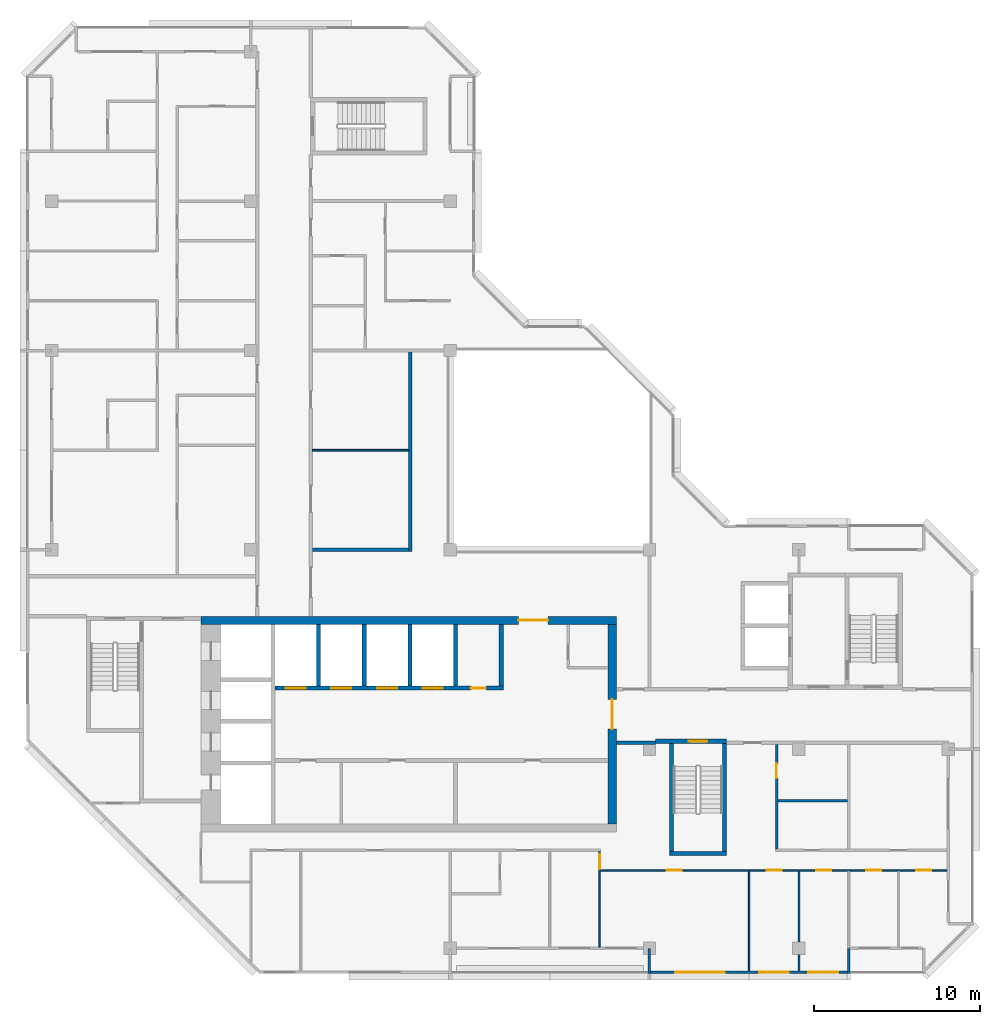
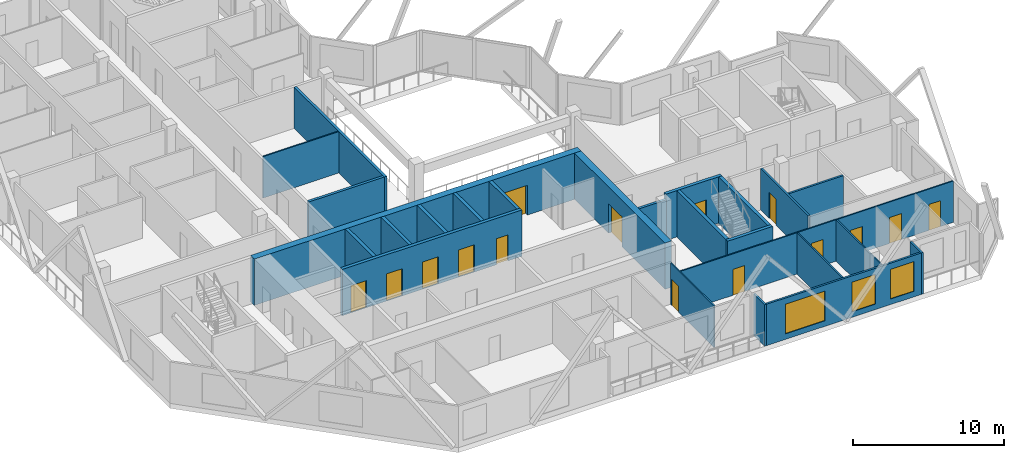
# One storey, part 5 of 12: 25 walls, 15 doors, 3 windows, 18 openings.
"""IFC4 building model written with IfcOpenShell, lengths in metres."""

from ifc_helpers import new_model, si_unit, direction, frame, frame_2d, origin, place, context, subcontext, project, spatial, rectangle, extrude, material, layer, layer_set, type_object, element, fill, save


model = new_model("IFC4")

# Units and contexts
model_context = context("Model", 3, precision=1e-05, world=origin(), true_north=direction((0.0, 1.0)))
body_context = subcontext(model_context, "Body", "Model", "MODEL_VIEW")
ifc_project = project(units=[si_unit("LENGTHUNIT", "METRE"), si_unit("AREAUNIT", "SQUARE_METRE"), si_unit("VOLUMEUNIT", "CUBIC_METRE"), si_unit("PLANEANGLEUNIT", "RADIAN"), si_unit("MASSUNIT", "GRAM", prefix="KILO")], contexts=[model_context])

# Site, building, storey
site_placement = place(None, origin())
site = spatial("IfcSite", under=ifc_project, at=site_placement, CompositionType="ELEMENT")
building_placement = place(site_placement, origin())
building = spatial("IfcBuilding", under=site, at=building_placement, Name="Chenar Terraces", CompositionType="ELEMENT")
storey_placement = place(building_placement, frame((0.0, 0.0, 338.89990234375)))
storey = spatial("IfcBuildingStorey", under=building, at=storey_placement, Name="L78", CompositionType="ELEMENT", Elevation=338.89990234375)

# Wall, openings, doors
ifc_material_1 = material(Name="Concrete C50/60", Category="concrete")
ifc_layer_1 = layer(ifc_material_1, 0.25)
ifc_layer_set_1 = layer_set([ifc_layer_1], Name="Concrete C50/60")
wall_type_1 = type_object("IfcWallType", Name="Core wall 250 Concrete C50/60", PredefinedType="SHEAR", material=ifc_layer_set_1)
wall_1_placement = place(storey_placement, frame((13.449951171875, 15.675048828125, 0.0), z_axis=(0.0, 0.0, 1.0), x_axis=(1.0, 0.0, 0.0)))
wall_1 = element("IfcWall", 1, at=wall_1_placement, inside=storey, type_object=wall_type_1, Name="Core wall NF L78", PredefinedType="SHEAR", context=body_context, shape_type="SweptSolid", body=[
    extrude(rectangle(XDim=13.75, YDim=0.25, at=frame_2d((6.875, 0.0))), origin(), (0.0, 0.0, 1.0), 3.75),
])
opening_1_placement = place(wall_1_placement, frame((0.64990234375, 0.0, 0.0)))
opening_1 = element("IfcOpeningElement", 2, at=opening_1_placement, cuts=wall_1, Name="Opening DL78-LD1", PredefinedType="OPENING", context=body_context, shape_type="SweptSolid", body=[
    extrude(rectangle(XDim=1.199951171875, YDim=2.199951171875, at=frame_2d((0.60009765625, 1.10009765625))), frame((0.0, 0.135009765625, 0.0), z_axis=(0.0, -1.0, 0.0), x_axis=(1.0, 0.0, 0.0)), (0.0, 0.0, 1.0), 0.27001953125),
])
opening_2_placement = place(wall_1_placement, frame((3.39990234375, 0.0, 0.0)))
opening_2 = element("IfcOpeningElement", 3, at=opening_2_placement, cuts=wall_1, Name="Opening DL78-LD2", PredefinedType="OPENING", context=body_context, shape_type="SweptSolid", body=[
    extrude(rectangle(XDim=1.199951171875, YDim=2.199951171875, at=frame_2d((0.60009765625, 1.10009765625))), frame((0.0, 0.135009765625, 0.0), z_axis=(0.0, -1.0, 0.0), x_axis=(1.0, 0.0, 0.0)), (0.0, 0.0, 1.0), 0.27001953125),
])
opening_3_placement = place(wall_1_placement, frame((6.14990234375, 0.0, 0.0)))
opening_3 = element("IfcOpeningElement", 4, at=opening_3_placement, cuts=wall_1, Name="Opening DL78-LD3", PredefinedType="OPENING", context=body_context, shape_type="SweptSolid", body=[
    extrude(rectangle(XDim=1.199951171875, YDim=2.199951171875, at=frame_2d((0.60009765625, 1.10009765625))), frame((0.0, 0.135009765625, 0.0), z_axis=(0.0, -1.0, 0.0), x_axis=(1.0, 0.0, 0.0)), (0.0, 0.0, 1.0), 0.27001953125),
])
opening_4_placement = place(wall_1_placement, frame((8.89990234375, 0.0, 0.0)))
opening_4 = element("IfcOpeningElement", 5, at=opening_4_placement, cuts=wall_1, Name="Opening DL78-LD4", PredefinedType="OPENING", context=body_context, shape_type="SweptSolid", body=[
    extrude(rectangle(XDim=1.199951171875, YDim=2.199951171875, at=frame_2d((0.60009765625, 1.10009765625))), frame((0.0, 0.135009765625, 0.0), z_axis=(0.0, -1.0, 0.0), x_axis=(1.0, 0.0, 0.0)), (0.0, 0.0, 1.0), 0.27001953125),
])
opening_5_placement = place(wall_1_placement, frame((11.800048828125, 0.0, 0.0)))
opening_5 = element("IfcOpeningElement", 6, at=opening_5_placement, cuts=wall_1, Name="Opening DL78-C15", PredefinedType="OPENING", context=body_context, shape_type="SweptSolid", body=[
    extrude(rectangle(XDim=0.89990234375, YDim=2.10009765625, at=frame_2d((0.449951171875, 1.050048828125))), frame((0.0, 0.135009765625, 0.0), z_axis=(0.0, -1.0, 0.0), x_axis=(1.0, 0.0, 0.0)), (0.0, 0.0, 1.0), 0.27001953125),
])
ifc_material_2 = material(Name="Stainless steel", Category="steel")
door_type_1 = type_object("IfcDoorType", Name="Lift landing door 1200 x 2200 sliding", OperationType="DOUBLE_DOOR_SLIDING", PredefinedType="DOOR", material=ifc_material_2)
door_1_placement = place(opening_1_placement, origin())
door_1 = element("IfcDoor", 7, at=door_1_placement, inside=storey, type_object=door_type_1, Name="Landing door H1", OperationType="DOUBLE_DOOR_SLIDING", OverallHeight=2.199951171875, OverallWidth=1.199951171875, PredefinedType="DOOR", context=body_context, shape_type="SweptSolid", body=[
    extrude(rectangle(XDim=1.199951171875, YDim=2.199951171875, at=frame_2d((0.60009765625, 1.10009765625))), frame((0.0, 0.02490234375, 0.0), z_axis=(0.0, -1.0, 0.0), x_axis=(1.0, 0.0, 0.0)), (0.0, 0.0, 1.0), 0.050048828125),
])
fill(opening_1, door_1)
door_2_placement = place(opening_2_placement, origin())
door_2 = element("IfcDoor", 8, at=door_2_placement, inside=storey, type_object=door_type_1, Name="Landing door H2", OperationType="DOUBLE_DOOR_SLIDING", OverallHeight=2.199951171875, OverallWidth=1.199951171875, PredefinedType="DOOR", context=body_context, shape_type="SweptSolid", body=[
    extrude(rectangle(XDim=1.199951171875, YDim=2.199951171875, at=frame_2d((0.60009765625, 1.10009765625))), frame((0.0, 0.02490234375, 0.0), z_axis=(0.0, -1.0, 0.0), x_axis=(1.0, 0.0, 0.0)), (0.0, 0.0, 1.0), 0.050048828125),
])
fill(opening_2, door_2)
door_3_placement = place(opening_3_placement, origin())
door_3 = element("IfcDoor", 9, at=door_3_placement, inside=storey, type_object=door_type_1, Name="Landing door H3", OperationType="DOUBLE_DOOR_SLIDING", OverallHeight=2.199951171875, OverallWidth=1.199951171875, PredefinedType="DOOR", context=body_context, shape_type="SweptSolid", body=[
    extrude(rectangle(XDim=1.199951171875, YDim=2.199951171875, at=frame_2d((0.60009765625, 1.10009765625))), frame((0.0, 0.02490234375, 0.0), z_axis=(0.0, -1.0, 0.0), x_axis=(1.0, 0.0, 0.0)), (0.0, 0.0, 1.0), 0.050048828125),
])
fill(opening_3, door_3)
door_4_placement = place(opening_4_placement, origin())
door_4 = element("IfcDoor", 10, at=door_4_placement, inside=storey, type_object=door_type_1, Name="Landing door H4", OperationType="DOUBLE_DOOR_SLIDING", OverallHeight=2.199951171875, OverallWidth=1.199951171875, PredefinedType="DOOR", context=body_context, shape_type="SweptSolid", body=[
    extrude(rectangle(XDim=1.199951171875, YDim=2.199951171875, at=frame_2d((0.60009765625, 1.10009765625))), frame((0.0, 0.02490234375, 0.0), z_axis=(0.0, -1.0, 0.0), x_axis=(1.0, 0.0, 0.0)), (0.0, 0.0, 1.0), 0.050048828125),
])
fill(opening_4, door_4)
ifc_material_3 = material(Name="Steel-framed fire-resisting door leaf", Category="steel")
door_type_2 = type_object("IfcDoorType", Name="Riser fire door FD60 900 x 2100", OperationType="SINGLE_SWING_LEFT", PredefinedType="DOOR", material=ifc_material_3)
door_5_placement = place(opening_5_placement, origin())
door_5 = element("IfcDoor", 11, at=door_5_placement, inside=storey, type_object=door_type_2, Name="Core room door DL78-C15", OperationType="SINGLE_SWING_RIGHT", OverallHeight=2.10009765625, OverallWidth=0.89990234375, PredefinedType="DOOR", context=body_context, shape_type="SweptSolid", body=[
    extrude(rectangle(XDim=0.89990234375, YDim=2.10009765625, at=frame_2d((0.449951171875, 1.050048828125))), frame((0.0, 0.02490234375, 0.0), z_axis=(0.0, -1.0, 0.0), x_axis=(1.0, 0.0, 0.0)), (0.0, 0.0, 1.0), 0.050048828125),
])
fill(opening_5, door_5)

# Walls
for number, where, z_axis, x_axis, name in (
    (12, (16.074951171875, 15.800048828125, 0.0), (0.0, 0.0, 1.0), (0.0, 1.0, 0.0), "Core wall NS0 L78"),
    (13, (18.824951171875, 15.800048828125, 0.0), (0.0, 0.0, 1.0), (0.0, 1.0, 0.0), "Core wall NS1 L78"),
    (14, (21.574951171875, 15.800048828125, 0.0), (0.0, 0.0, 1.0), (0.0, 1.0, 0.0), "Core wall NS2 L78"),
    (15, (24.324951171875, 15.800048828125, 0.0), (0.0, 0.0, 1.0), (0.0, 1.0, 0.0), "Core wall NS3 L78"),
    (16, (27.074951171875, 15.800048828125, 0.0), (0.0, 0.0, 1.0), (0.0, 1.0, 0.0), "Core wall NE L78"),
):
    element("IfcWall", number, at=place(storey_placement, frame(where, z_axis=z_axis, x_axis=x_axis)), inside=storey, type_object=wall_type_1, Name=name, PredefinedType="SHEAR", context=body_context, shape_type="SweptSolid", body=[
        extrude(rectangle(XDim=3.699951171875, YDim=0.25, at=frame_2d((1.85009765625, 0.0))), origin(), (0.0, 0.0, 1.0), 3.75),
    ])
wall_2_placement = place(storey_placement, frame((37.199951171875, 5.72509765625, 0.0), z_axis=(0.0, 0.0, 1.0), x_axis=(1.0, 0.0, 0.0)))
element("IfcWall", 17, at=wall_2_placement, inside=storey, type_object=wall_type_1, Name="Core wall ST2_S L78", PredefinedType="SHEAR", context=body_context, shape_type="SweptSolid", body=[
    extrude(rectangle(XDim=3.449951171875, YDim=0.25, at=frame_2d((1.72509765625, 0.0))), origin(), (0.0, 0.0, 1.0), 3.75),
])

# Wall, opening, door
wall_3_placement = place(storey_placement, frame((36.375, 12.47509765625, 0.0), z_axis=(0.0, 0.0, 1.0), x_axis=(1.0, 0.0, 0.0)))
wall_3 = element("IfcWall", 18, at=wall_3_placement, inside=storey, type_object=wall_type_1, Name="Core wall ST2_N L78", PredefinedType="SHEAR", context=body_context, shape_type="SweptSolid", body=[
    extrude(rectangle(XDim=4.27490234375, YDim=0.25, at=frame_2d((2.137451171875, 0.0))), origin(), (0.0, 0.0, 1.0), 3.75),
])
opening_6_placement = place(wall_3_placement, frame((2.0, 0.0, 0.0)))
opening_6 = element("IfcOpeningElement", 19, at=opening_6_placement, cuts=wall_3, Name="Opening DL78-C7", PredefinedType="OPENING", context=body_context, shape_type="SweptSolid", body=[
    extrude(rectangle(XDim=1.10009765625, YDim=2.199951171875, at=frame_2d((0.550048828125, 1.10009765625))), frame((0.0, 0.135009765625, 0.0), z_axis=(0.0, -1.0, 0.0), x_axis=(1.0, 0.0, 0.0)), (0.0, 0.0, 1.0), 0.27001953125),
])
ifc_material_4 = material(Name="Steel-framed fire-resisting door leaf", Category="steel")
door_type_3 = type_object("IfcDoorType", Name="Stair fire door FD60 1100 x 2200", OperationType="SINGLE_SWING_LEFT", PredefinedType="DOOR", material=ifc_material_4)
door_6_placement = place(opening_6_placement, frame((1.10009765625, 0.0, 0.0), z_axis=(0.0, 0.0, 1.0), x_axis=(-1.0, 0.0, 0.0)))
door_6 = element("IfcDoor", 20, at=door_6_placement, inside=storey, type_object=door_type_3, Name="Stair door DL78-C7", OperationType="SINGLE_SWING_LEFT", OverallHeight=2.199951171875, OverallWidth=1.10009765625, PredefinedType="DOOR", context=body_context, shape_type="SweptSolid", body=[
    extrude(rectangle(XDim=1.10009765625, YDim=2.199951171875, at=frame_2d((0.550048828125, 1.10009765625))), frame((0.0, 0.02490234375, 0.0), z_axis=(0.0, -1.0, 0.0), x_axis=(1.0, 0.0, 0.0)), (0.0, 0.0, 1.0), 0.050048828125),
])
fill(opening_6, door_6)

# Walls
for number, where, z_axis, x_axis, name in (
    (21, (37.324951171875, 5.85009765625, 0.0), (0.0, 0.0, 1.0), (0.0, 1.0, 0.0), "Core wall ST2_W L78"),
    (22, (40.52490234375, 5.85009765625, 0.0), (0.0, 0.0, 1.0), (0.0, 1.0, 0.0), "Core wall ST2_E L78"),
):
    element("IfcWall", number, at=place(storey_placement, frame(where, z_axis=z_axis, x_axis=x_axis)), inside=storey, type_object=wall_type_1, Name=name, PredefinedType="SHEAR", context=body_context, shape_type="SweptSolid", body=[
        extrude(rectangle(XDim=6.5, YDim=0.25, at=frame_2d((3.25, 0.0))), origin(), (0.0, 0.0, 1.0), 3.75),
    ])

# Wall, opening, door
ifc_material_5 = material(Name="Concrete C50/60", Category="concrete")
ifc_layer_2 = layer(ifc_material_5, 0.5)
ifc_layer_set_2 = layer_set([ifc_layer_2], Name="Concrete C50/60")
wall_type_2 = type_object("IfcWallType", Name="Core wall 500 Concrete C50/60", PredefinedType="SHEAR", material=ifc_layer_set_2)
wall_4_placement = place(storey_placement, frame((9.0, 19.75, 0.0), z_axis=(0.0, 0.0, 1.0), x_axis=(1.0, 0.0, 0.0)))
wall_4 = element("IfcWall", 23, at=wall_4_placement, inside=storey, type_object=wall_type_2, Name="Core wall N L78", PredefinedType="SHEAR", context=body_context, shape_type="SweptSolid", body=[
    extrude(rectangle(XDim=25.0, YDim=0.5, at=frame_2d((12.5, 0.0))), origin(), (0.0, 0.0, 1.0), 3.75),
])
opening_7_placement = place(wall_4_placement, frame((19.10009765625, 0.0, 0.0)))
opening_7 = element("IfcOpeningElement", 24, at=opening_7_placement, cuts=wall_4, Name="Opening DL78-C2", PredefinedType="OPENING", context=body_context, shape_type="SweptSolid", body=[
    extrude(rectangle(XDim=1.800048828125, YDim=2.39990234375, at=frame_2d((0.89990234375, 1.199951171875))), frame((0.0, 0.260009765625, 0.0), z_axis=(0.0, -1.0, 0.0), x_axis=(1.0, 0.0, 0.0)), (0.0, 0.0, 1.0), 0.52001953125),
])
ifc_material_6 = material(Name="Steel-framed fire-resisting door leaf", Category="steel")
door_type_4 = type_object("IfcDoorType", Name="Core entrance double fire door FD60 1800 x 2400", OperationType="DOUBLE_DOOR_SINGLE_SWING", PredefinedType="DOOR", material=ifc_material_6)
door_7_placement = place(opening_7_placement, frame((1.800048828125, 0.0, 0.0), z_axis=(0.0, 0.0, 1.0), x_axis=(-1.0, 0.0, 0.0)))
door_7 = element("IfcDoor", 25, at=door_7_placement, inside=storey, type_object=door_type_4, Name="Core door DL78-C2", OperationType="DOUBLE_DOOR_SINGLE_SWING", OverallHeight=2.39990234375, OverallWidth=1.800048828125, PredefinedType="DOOR", context=body_context, shape_type="SweptSolid", body=[
    extrude(rectangle(XDim=1.800048828125, YDim=2.39990234375, at=frame_2d((0.89990234375, 1.199951171875))), frame((0.0, 0.02490234375, 0.0), z_axis=(0.0, -1.0, 0.0), x_axis=(1.0, 0.0, 0.0)), (0.0, 0.0, 1.0), 0.050048828125),
])
fill(opening_7, door_7)

wall_5_placement = place(storey_placement, frame((33.75, 7.5, 0.0), z_axis=(0.0, 0.0, 1.0), x_axis=(0.0, 1.0, 0.0)))
wall_5 = element("IfcWall", 26, at=wall_5_placement, inside=storey, type_object=wall_type_2, Name="Core wall E L78", PredefinedType="SHEAR", context=body_context, shape_type="SweptSolid", body=[
    extrude(rectangle(XDim=12.0, YDim=0.5, at=frame_2d((6.0, 0.0))), origin(), (0.0, 0.0, 1.0), 3.75),
])
opening_8_placement = place(wall_5_placement, frame((5.699951171875, 0.0, 0.0)))
opening_8 = element("IfcOpeningElement", 27, at=opening_8_placement, cuts=wall_5, Name="Opening DL78-C1", PredefinedType="OPENING", context=body_context, shape_type="SweptSolid", body=[
    extrude(rectangle(XDim=1.800048828125, YDim=2.39990234375, at=frame_2d((0.89990234375, 1.199951171875))), frame((0.0, 0.260009765625, 0.0), z_axis=(0.0, -1.0, 0.0), x_axis=(1.0, 0.0, 0.0)), (0.0, 0.0, 1.0), 0.52001953125),
])
door_8_placement = place(opening_8_placement, origin())
door_8 = element("IfcDoor", 28, at=door_8_placement, inside=storey, type_object=door_type_4, Name="Core door DL78-C1", OperationType="DOUBLE_DOOR_SINGLE_SWING", OverallHeight=2.39990234375, OverallWidth=1.800048828125, PredefinedType="DOOR", context=body_context, shape_type="SweptSolid", body=[
    extrude(rectangle(XDim=1.800048828125, YDim=2.39990234375, at=frame_2d((0.89990234375, 1.199951171875))), frame((0.0, 0.02490234375, 0.0), z_axis=(0.0, -1.0, 0.0), x_axis=(1.0, 0.0, 0.0)), (0.0, 0.0, 1.0), 0.050048828125),
])
fill(opening_8, door_8)

# Walls
ifc_material_7 = material(Name="Gypsum board on steel studs with fire boards", Category="steel")
ifc_layer_3 = layer(ifc_material_7, 0.199951171875)
ifc_layer_set_3 = layer_set([ifc_layer_3], Name="Gypsum board on steel studs with fire boards")
wall_type_3 = type_object("IfcWallType", Name="Corridor wall 200", PredefinedType="PARTITIONING", material=ifc_layer_set_3)
wall_6_placement = place(storey_placement, frame((15.699951171875, 24.0, 0.0), z_axis=(0.0, 0.0, 1.0), x_axis=(1.0, 0.0, 0.0)))
element("IfcWall", 29, at=wall_6_placement, inside=storey, type_object=wall_type_3, Name="Partition L78-033", PredefinedType="PARTITIONING", context=body_context, shape_type="SweptSolid", body=[
    extrude(rectangle(XDim=5.800048828125, YDim=0.199951171875, at=frame_2d((2.89990234375, 0.0))), origin(), (0.0, 0.0, 1.0), 3.35009765625),
])
wall_7_placement = place(storey_placement, frame((21.60009765625, 23.89990234375, 0.0), z_axis=(0.0, 0.0, 1.0), x_axis=(0.0, 1.0, 0.0)))
element("IfcWall", 30, at=wall_7_placement, inside=storey, type_object=wall_type_3, Name="Partition L78-043", PredefinedType="PARTITIONING", context=body_context, shape_type="SweptSolid", body=[
    extrude(rectangle(XDim=12.0, YDim=0.199951171875, at=frame_2d((6.0, 0.0))), origin(), (0.0, 0.0, 1.0), 3.35009765625),
])
wall_8_placement = place(storey_placement, frame((34.0, 12.375, 0.0), z_axis=(0.0, 0.0, 1.0), x_axis=(1.0, 0.0, 0.0)))
element("IfcWall", 31, at=wall_8_placement, inside=storey, type_object=wall_type_3, Name="Partition L78-050", PredefinedType="PARTITIONING", context=body_context, shape_type="SweptSolid", body=[
    extrude(rectangle(XDim=2.3759765625, YDim=0.199951171875, at=frame_2d((1.18798828125, 0.0))), origin(), (0.0, 0.0, 1.0), 3.35009765625),
])

# Wall, openings, windows
ifc_material_8 = material(Name="Aluminium framed glazing", Category="aluminium")
ifc_layer_4 = layer(ifc_material_8, 0.14990234375)
ifc_layer_set_4 = layer_set([ifc_layer_4], Name="Aluminium framed glazing")
wall_type_4 = type_object("IfcWallType", Name="Glazed flush facade wall 150", PredefinedType="SOLIDWALL", material=ifc_layer_set_4)
wall_9_placement = place(storey_placement, frame((36.074951171875, -1.425048828125, 0.0), z_axis=(0.0, 0.0, 1.0), x_axis=(1.0, 0.0, 0.0)))
wall_9 = element("IfcWall", 32, at=wall_9_placement, inside=storey, type_object=wall_type_4, Name="Glazed flush facade wall", PredefinedType="SOLIDWALL", context=body_context, shape_type="SweptSolid", body=[
    extrude(rectangle(XDim=11.85009765625, YDim=0.14990234375, at=frame_2d((5.925048828125, 0.0))), origin(), (0.0, 0.0, 1.0), 3.35009765625),
])
opening_9_placement = place(wall_9_placement, frame((1.46240234375, 0.0, 0.449951171875)))
opening_9 = element("IfcOpeningElement", 33, at=opening_9_placement, cuts=wall_9, Name="Opening W300x240", PredefinedType="OPENING", context=body_context, shape_type="SweptSolid", body=[
    extrude(rectangle(XDim=3.0, YDim=2.39990234375, at=frame_2d((1.5, 1.199951171875))), frame((0.0, 0.0849609375, 0.0), z_axis=(0.0, -1.0, 0.0), x_axis=(1.0, 0.0, 0.0)), (0.0, 0.0, 1.0), 0.169921875),
])
opening_10_placement = place(wall_9_placement, frame((6.52490234375, 0.0, 0.449951171875)))
opening_10 = element("IfcOpeningElement", 34, at=opening_10_placement, cuts=wall_9, Name="Opening W180x240", PredefinedType="OPENING", context=body_context, shape_type="SweptSolid", body=[
    extrude(rectangle(XDim=1.800048828125, YDim=2.39990234375, at=frame_2d((0.89990234375, 1.199951171875))), frame((0.0, 0.0849609375, 0.0), z_axis=(0.0, -1.0, 0.0), x_axis=(1.0, 0.0, 0.0)), (0.0, 0.0, 1.0), 0.169921875),
])
opening_11_placement = place(wall_9_placement, frame((9.487548828125, 0.0, 0.449951171875)))
opening_11 = element("IfcOpeningElement", 35, at=opening_11_placement, cuts=wall_9, Name="Opening W180x240", PredefinedType="OPENING", context=body_context, shape_type="SweptSolid", body=[
    extrude(rectangle(XDim=1.800048828125, YDim=2.39990234375, at=frame_2d((0.89990234375, 1.199951171875))), frame((0.0, 0.0849609375, 0.0), z_axis=(0.0, -1.0, 0.0), x_axis=(1.0, 0.0, 0.0)), (0.0, 0.0, 1.0), 0.169921875),
])
ifc_material_9 = material(Name="Low emissivity double glazing, aluminium frame", Category="aluminium")
window_type_1 = type_object("IfcWindowType", Name="Fixed light 1800 x 2400", PartitioningType="SINGLE_PANEL", PredefinedType="WINDOW", material=ifc_material_9)
window_1_placement = place(opening_10_placement, origin())
window_1 = element("IfcWindow", 36, at=window_1_placement, inside=storey, type_object=window_type_1, Name="Window", OverallHeight=2.39990234375, OverallWidth=1.800048828125, PartitioningType="SINGLE_PANEL", PredefinedType="WINDOW", context=body_context, shape_type="SweptSolid", body=[
    extrude(rectangle(XDim=1.800048828125, YDim=2.39990234375, at=frame_2d((0.89990234375, 1.199951171875))), frame((0.0, 0.030029296875, 0.0), z_axis=(0.0, -1.0, 0.0), x_axis=(1.0, 0.0, 0.0)), (0.0, 0.0, 1.0), 0.06005859375),
])
fill(opening_10, window_1)
window_2_placement = place(opening_11_placement, origin())
window_2 = element("IfcWindow", 37, at=window_2_placement, inside=storey, type_object=window_type_1, Name="Window", OverallHeight=2.39990234375, OverallWidth=1.800048828125, PartitioningType="SINGLE_PANEL", PredefinedType="WINDOW", context=body_context, shape_type="SweptSolid", body=[
    extrude(rectangle(XDim=1.800048828125, YDim=2.39990234375, at=frame_2d((0.89990234375, 1.199951171875))), frame((0.0, 0.030029296875, 0.0), z_axis=(0.0, -1.0, 0.0), x_axis=(1.0, 0.0, 0.0)), (0.0, 0.0, 1.0), 0.06005859375),
])
fill(opening_11, window_2)
ifc_material_10 = material(Name="Low emissivity double glazing, aluminium frame", Category="aluminium")
window_type_2 = type_object("IfcWindowType", Name="Fixed light 3000 x 2400", PartitioningType="SINGLE_PANEL", PredefinedType="WINDOW", material=ifc_material_10)
window_3_placement = place(opening_9_placement, origin())
window_3 = element("IfcWindow", 38, at=window_3_placement, inside=storey, type_object=window_type_2, Name="Window", OverallHeight=2.39990234375, OverallWidth=3.0, PartitioningType="SINGLE_PANEL", PredefinedType="WINDOW", context=body_context, shape_type="SweptSolid", body=[
    extrude(rectangle(XDim=3.0, YDim=2.39990234375, at=frame_2d((1.5, 1.199951171875))), frame((0.0, 0.030029296875, 0.0), z_axis=(0.0, -1.0, 0.0), x_axis=(1.0, 0.0, 0.0)), (0.0, 0.0, 1.0), 0.06005859375),
])
fill(opening_9, window_3)

# Wall
ifc_material_11 = material(Name="Gypsum board on steel studs", Category="steel")
ifc_layer_5 = layer(ifc_material_11, 0.10009765625)
ifc_layer_set_5 = layer_set([ifc_layer_5], Name="Gypsum board on steel studs")
wall_type_5 = type_object("IfcWallType", Name="Gypsum partition 100", PredefinedType="PARTITIONING", material=ifc_layer_set_5)
wall_10_placement = place(storey_placement, frame((15.699951171875, 30.0, 0.0), z_axis=(0.0, 0.0, 1.0), x_axis=(1.0, 0.0, 0.0)))
element("IfcWall", 39, at=wall_10_placement, inside=storey, type_object=wall_type_5, Name="Partition L78-034", PredefinedType="PARTITIONING", context=body_context, shape_type="SweptSolid", body=[
    extrude(rectangle(XDim=5.800048828125, YDim=0.10009765625, at=frame_2d((2.89990234375, 0.0))), origin(), (0.0, 0.0, 1.0), 3.35009765625),
])

# Wall, opening, door
wall_11_placement = place(storey_placement, frame((33.0, 0.073974609375, 0.0), z_axis=(0.0, 0.0, 1.0), x_axis=(0.0, 1.0, 0.0)))
wall_11 = element("IfcWall", 40, at=wall_11_placement, inside=storey, type_object=wall_type_5, Name="Partition L78-048", PredefinedType="PARTITIONING", context=body_context, shape_type="SweptSolid", body=[
    extrude(rectangle(XDim=5.7509765625, YDim=0.10009765625, at=frame_2d((2.87548828125, 0.0))), origin(), (0.0, 0.0, 1.0), 3.35009765625),
])
opening_12_placement = place(wall_11_placement, frame((4.700927734375, 0.0, 0.0)))
opening_12 = element("IfcOpeningElement", 41, at=opening_12_placement, cuts=wall_11, Name="Opening DL78-26", PredefinedType="OPENING", context=body_context, shape_type="SweptSolid", body=[
    extrude(rectangle(XDim=0.89990234375, YDim=2.10009765625, at=frame_2d((0.449951171875, 1.050048828125))), frame((0.0, 0.06005859375, 0.0), z_axis=(0.0, -1.0, 0.0), x_axis=(1.0, 0.0, 0.0)), (0.0, 0.0, 1.0), 0.1201171875),
])
ifc_material_12 = material(Name="Veneered timber door leaf", Category="wood")
door_type_5 = type_object("IfcDoorType", Name="Door 900 x 2100", OperationType="SINGLE_SWING_LEFT", PredefinedType="DOOR", material=ifc_material_12)
door_9_placement = place(opening_12_placement, origin())
door_9 = element("IfcDoor", 42, at=door_9_placement, inside=storey, type_object=door_type_5, Name="Door DL78-26", OperationType="SINGLE_SWING_RIGHT", OverallHeight=2.10009765625, OverallWidth=0.89990234375, PredefinedType="DOOR", context=body_context, shape_type="SweptSolid", body=[
    extrude(rectangle(XDim=0.89990234375, YDim=2.10009765625, at=frame_2d((0.449951171875, 1.050048828125))), frame((0.0, 0.02490234375, 0.0), z_axis=(0.0, -1.0, 0.0), x_axis=(1.0, 0.0, 0.0)), (0.0, 0.0, 1.0), 0.050048828125),
])
fill(opening_12, door_9)

# Wall, openings, doors
wall_12_placement = place(storey_placement, frame((33.050048828125, 4.699951171875, 0.0), z_axis=(0.0, 0.0, 1.0), x_axis=(1.0, 0.0, 0.0)))
wall_12 = element("IfcWall", 43, at=wall_12_placement, inside=storey, type_object=wall_type_5, Name="Partition L78-049", PredefinedType="PARTITIONING", context=body_context, shape_type="SweptSolid", body=[
    extrude(rectangle(XDim=20.8759765625, YDim=0.10009765625, at=frame_2d((10.43798828125, 0.0))), origin(), (0.0, 0.0, 1.0), 3.35009765625),
])
opening_13_placement = place(wall_12_placement, frame((10.0, 0.0, 0.0)))
opening_13 = element("IfcOpeningElement", 44, at=opening_13_placement, cuts=wall_12, Name="Opening DL78-27", PredefinedType="OPENING", context=body_context, shape_type="SweptSolid", body=[
    extrude(rectangle(XDim=0.89990234375, YDim=2.10009765625, at=frame_2d((0.449951171875, 1.050048828125))), frame((0.0, 0.06005859375, 0.0), z_axis=(0.0, -1.0, 0.0), x_axis=(1.0, 0.0, 0.0)), (0.0, 0.0, 1.0), 0.1201171875),
])
opening_14_placement = place(wall_12_placement, frame((13.0, 0.0, 0.0)))
opening_14 = element("IfcOpeningElement", 45, at=opening_14_placement, cuts=wall_12, Name="Opening DL78-28", PredefinedType="OPENING", context=body_context, shape_type="SweptSolid", body=[
    extrude(rectangle(XDim=0.89990234375, YDim=2.10009765625, at=frame_2d((0.449951171875, 1.050048828125))), frame((0.0, 0.06005859375, 0.0), z_axis=(0.0, -1.0, 0.0), x_axis=(1.0, 0.0, 0.0)), (0.0, 0.0, 1.0), 0.1201171875),
])
opening_15_placement = place(wall_12_placement, frame((16.0, 0.0, 0.0)))
opening_15 = element("IfcOpeningElement", 46, at=opening_15_placement, cuts=wall_12, Name="Opening DL78-29", PredefinedType="OPENING", context=body_context, shape_type="SweptSolid", body=[
    extrude(rectangle(XDim=0.89990234375, YDim=2.10009765625, at=frame_2d((0.449951171875, 1.050048828125))), frame((0.0, 0.06005859375, 0.0), z_axis=(0.0, -1.0, 0.0), x_axis=(1.0, 0.0, 0.0)), (0.0, 0.0, 1.0), 0.1201171875),
])
opening_16_placement = place(wall_12_placement, frame((19.0, 0.0, 0.0)))
opening_16 = element("IfcOpeningElement", 47, at=opening_16_placement, cuts=wall_12, Name="Opening DL78-30", PredefinedType="OPENING", context=body_context, shape_type="SweptSolid", body=[
    extrude(rectangle(XDim=0.89990234375, YDim=2.10009765625, at=frame_2d((0.449951171875, 1.050048828125))), frame((0.0, 0.06005859375, 0.0), z_axis=(0.0, -1.0, 0.0), x_axis=(1.0, 0.0, 0.0)), (0.0, 0.0, 1.0), 0.1201171875),
])
opening_17_placement = place(wall_12_placement, frame((4.0, 0.0, 0.0)))
opening_17 = element("IfcOpeningElement", 48, at=opening_17_placement, cuts=wall_12, Name="Opening DL78-38", PredefinedType="OPENING", context=body_context, shape_type="SweptSolid", body=[
    extrude(rectangle(XDim=0.89990234375, YDim=2.10009765625, at=frame_2d((0.449951171875, 1.050048828125))), frame((0.0, 0.06005859375, 0.0), z_axis=(0.0, -1.0, 0.0), x_axis=(1.0, 0.0, 0.0)), (0.0, 0.0, 1.0), 0.1201171875),
])
door_10_placement = place(opening_13_placement, frame((0.89990234375, 0.0, 0.0), z_axis=(0.0, 0.0, 1.0), x_axis=(-1.0, 0.0, 0.0)))
door_10 = element("IfcDoor", 49, at=door_10_placement, inside=storey, type_object=door_type_5, Name="Door DL78-27", OperationType="SINGLE_SWING_LEFT", OverallHeight=2.10009765625, OverallWidth=0.89990234375, PredefinedType="DOOR", context=body_context, shape_type="SweptSolid", body=[
    extrude(rectangle(XDim=0.89990234375, YDim=2.10009765625, at=frame_2d((0.449951171875, 1.050048828125))), frame((0.0, 0.02490234375, 0.0), z_axis=(0.0, -1.0, 0.0), x_axis=(1.0, 0.0, 0.0)), (0.0, 0.0, 1.0), 0.050048828125),
])
fill(opening_13, door_10)
door_11_placement = place(opening_14_placement, frame((0.89990234375, 0.0, 0.0), z_axis=(0.0, 0.0, 1.0), x_axis=(-1.0, 0.0, 0.0)))
door_11 = element("IfcDoor", 50, at=door_11_placement, inside=storey, type_object=door_type_5, Name="Door DL78-28", OperationType="SINGLE_SWING_LEFT", OverallHeight=2.10009765625, OverallWidth=0.89990234375, PredefinedType="DOOR", context=body_context, shape_type="SweptSolid", body=[
    extrude(rectangle(XDim=0.89990234375, YDim=2.10009765625, at=frame_2d((0.449951171875, 1.050048828125))), frame((0.0, 0.02490234375, 0.0), z_axis=(0.0, -1.0, 0.0), x_axis=(1.0, 0.0, 0.0)), (0.0, 0.0, 1.0), 0.050048828125),
])
fill(opening_14, door_11)
door_12_placement = place(opening_15_placement, frame((0.89990234375, 0.0, 0.0), z_axis=(0.0, 0.0, 1.0), x_axis=(-1.0, 0.0, 0.0)))
door_12 = element("IfcDoor", 51, at=door_12_placement, inside=storey, type_object=door_type_5, Name="Door DL78-29", OperationType="SINGLE_SWING_LEFT", OverallHeight=2.10009765625, OverallWidth=0.89990234375, PredefinedType="DOOR", context=body_context, shape_type="SweptSolid", body=[
    extrude(rectangle(XDim=0.89990234375, YDim=2.10009765625, at=frame_2d((0.449951171875, 1.050048828125))), frame((0.0, 0.02490234375, 0.0), z_axis=(0.0, -1.0, 0.0), x_axis=(1.0, 0.0, 0.0)), (0.0, 0.0, 1.0), 0.050048828125),
])
fill(opening_15, door_12)
door_13_placement = place(opening_16_placement, frame((0.89990234375, 0.0, 0.0), z_axis=(0.0, 0.0, 1.0), x_axis=(-1.0, 0.0, 0.0)))
door_13 = element("IfcDoor", 52, at=door_13_placement, inside=storey, type_object=door_type_5, Name="Door DL78-30", OperationType="SINGLE_SWING_LEFT", OverallHeight=2.10009765625, OverallWidth=0.89990234375, PredefinedType="DOOR", context=body_context, shape_type="SweptSolid", body=[
    extrude(rectangle(XDim=0.89990234375, YDim=2.10009765625, at=frame_2d((0.449951171875, 1.050048828125))), frame((0.0, 0.02490234375, 0.0), z_axis=(0.0, -1.0, 0.0), x_axis=(1.0, 0.0, 0.0)), (0.0, 0.0, 1.0), 0.050048828125),
])
fill(opening_16, door_13)
door_14_placement = place(opening_17_placement, frame((0.89990234375, 0.0, 0.0), z_axis=(0.0, 0.0, 1.0), x_axis=(-1.0, 0.0, 0.0)))
door_14 = element("IfcDoor", 53, at=door_14_placement, inside=storey, type_object=door_type_5, Name="Door DL78-38", OperationType="SINGLE_SWING_LEFT", OverallHeight=2.10009765625, OverallWidth=0.89990234375, PredefinedType="DOOR", context=body_context, shape_type="SweptSolid", body=[
    extrude(rectangle(XDim=0.89990234375, YDim=2.10009765625, at=frame_2d((0.449951171875, 1.050048828125))), frame((0.0, 0.02490234375, 0.0), z_axis=(0.0, -1.0, 0.0), x_axis=(1.0, 0.0, 0.0)), (0.0, 0.0, 1.0), 0.050048828125),
])
fill(opening_17, door_14)

# Walls
wall_13_placement = place(storey_placement, frame((42.0, -1.35009765625, 0.0), z_axis=(0.0, 0.0, 1.0), x_axis=(0.0, 1.0, 0.0)))
element("IfcWall", 54, at=wall_13_placement, inside=storey, type_object=wall_type_5, Name="Partition L78-054", PredefinedType="PARTITIONING", context=body_context, shape_type="SweptSolid", body=[
    extrude(rectangle(XDim=6.0, YDim=0.10009765625, at=frame_2d((3.0, 0.0))), origin(), (0.0, 0.0, 1.0), 3.35009765625),
])
wall_14_placement = place(storey_placement, frame((45.0, -1.35107421875, 0.0), z_axis=(0.0, 0.0, 1.0), x_axis=(0.0, 1.0, 0.0)))
element("IfcWall", 55, at=wall_14_placement, inside=storey, type_object=wall_type_5, Name="Partition L78-058", PredefinedType="PARTITIONING", context=body_context, shape_type="SweptSolid", body=[
    extrude(rectangle(XDim=6.0009765625, YDim=0.10009765625, at=frame_2d((3.00048828125, 0.0))), origin(), (0.0, 0.0, 1.0), 3.35009765625),
])
ifc_material_13 = material(Name="Terracotta cladding on insulated backing", Category="masonry")
ifc_layer_6 = layer(ifc_material_13, 0.14990234375)
ifc_layer_set_6 = layer_set([ifc_layer_6], Name="Terracotta cladding on insulated backing")
wall_type_6 = type_object("IfcWallType", Name="Loggia return wall 150", PredefinedType="SOLIDWALL", material=ifc_layer_set_6)
for number, where, z_axis, x_axis, name in (
    (56, (36.0, -1.5, 0.0), (0.0, 0.0, 1.0), (0.0, 1.0, 0.0), "Loggia return wall"),
    (57, (48.0, -1.5, 0.0), (0.0, 0.0, 1.0), (0.0, 1.0, 0.0), "Loggia return wall"),
):
    element("IfcWall", number, at=place(storey_placement, frame(where, z_axis=z_axis, x_axis=x_axis)), inside=storey, type_object=wall_type_6, Name=name, PredefinedType="SOLIDWALL", context=body_context, shape_type="SweptSolid", body=[
        extrude(rectangle(XDim=1.5, YDim=0.14990234375, at=frame_2d((0.75, 0.0))), origin(), (0.0, 0.0, 1.0), 3.35009765625),
    ])

# Wall, opening, door
ifc_material_14 = material(Name="Moisture-resistant gypsum board on steel studs", Category="steel")
ifc_layer_7 = layer(ifc_material_14, 0.14990234375)
ifc_layer_set_7 = layer_set([ifc_layer_7], Name="Moisture-resistant gypsum board on steel studs")
wall_type_7 = type_object("IfcWallType", Name="Wet-room partition 150", PredefinedType="PARTITIONING", material=ifc_layer_set_7)
wall_15_placement = place(storey_placement, frame((43.64990234375, 5.97509765625, 0.0), z_axis=(0.0, 0.0, 1.0), x_axis=(0.0, 1.0, 0.0)))
wall_15 = element("IfcWall", 58, at=wall_15_placement, inside=storey, type_object=wall_type_7, Name="Partition L78-056", PredefinedType="PARTITIONING", context=body_context, shape_type="SweptSolid", body=[
    extrude(rectangle(XDim=6.2998046875, YDim=0.14990234375, at=frame_2d((3.14990234375, 0.0))), origin(), (0.0, 0.0, 1.0), 3.35009765625),
])
opening_18_placement = place(wall_15_placement, frame((4.27490234375, 0.0, 0.0)))
opening_18 = element("IfcOpeningElement", 59, at=opening_18_placement, cuts=wall_15, Name="Opening DL78-36", PredefinedType="OPENING", context=body_context, shape_type="SweptSolid", body=[
    extrude(rectangle(XDim=0.89990234375, YDim=2.10009765625, at=frame_2d((0.449951171875, 1.050048828125))), frame((0.0, 0.0849609375, 0.0), z_axis=(0.0, -1.0, 0.0), x_axis=(1.0, 0.0, 0.0)), (0.0, 0.0, 1.0), 0.169921875),
])
door_15_placement = place(opening_18_placement, frame((0.89990234375, 0.0, 0.0), z_axis=(0.0, 0.0, 1.0), x_axis=(-1.0, 0.0, 0.0)))
door_15 = element("IfcDoor", 60, at=door_15_placement, inside=storey, type_object=door_type_5, Name="Door DL78-36", OperationType="SINGLE_SWING_LEFT", OverallHeight=2.10009765625, OverallWidth=0.89990234375, PredefinedType="DOOR", context=body_context, shape_type="SweptSolid", body=[
    extrude(rectangle(XDim=0.89990234375, YDim=2.10009765625, at=frame_2d((0.449951171875, 1.050048828125))), frame((0.0, 0.02490234375, 0.0), z_axis=(0.0, -1.0, 0.0), x_axis=(1.0, 0.0, 0.0)), (0.0, 0.0, 1.0), 0.050048828125),
])
fill(opening_18, door_15)

# Wall
wall_16_placement = place(storey_placement, frame((43.72509765625, 8.89990234375, 0.0), z_axis=(0.0, 0.0, 1.0), x_axis=(1.0, 0.0, 0.0)))
element("IfcWall", 61, at=wall_16_placement, inside=storey, type_object=wall_type_7, Name="Partition L78-057", PredefinedType="PARTITIONING", context=body_context, shape_type="SweptSolid", body=[
    extrude(rectangle(XDim=4.199951171875, YDim=0.14990234375, at=frame_2d((2.10009765625, 0.0))), origin(), (0.0, 0.0, 1.0), 3.35009765625),
])

save(model, "model.ifc")
